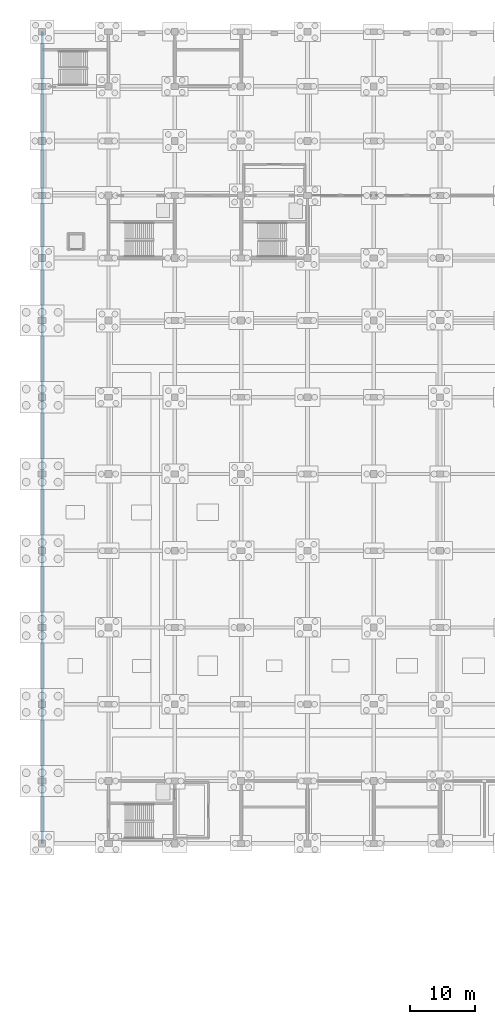
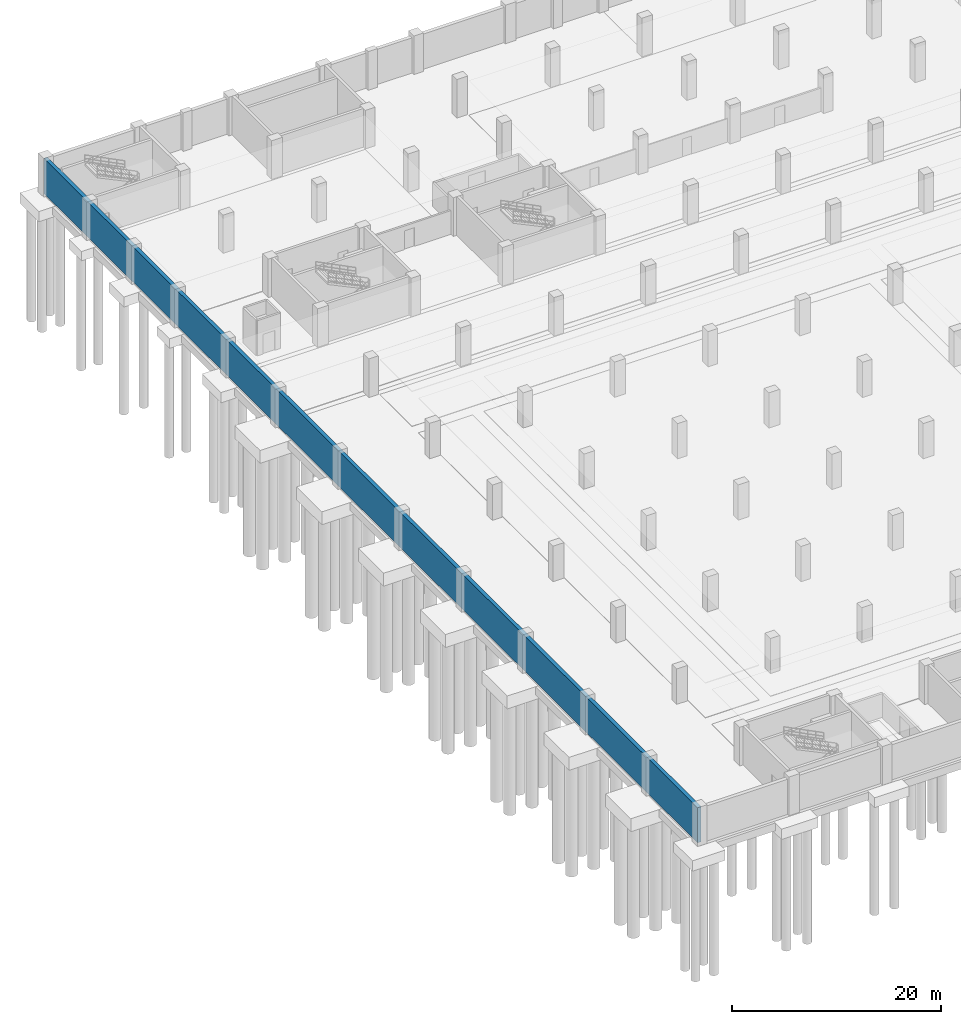
# One storey, part 31 of 52: 1 wall.
"""IFC4 building model written with IfcOpenShell, lengths in metres."""

from ifc_helpers import new_model, si_unit, direction, frame, frame_2d, origin, place, context, subcontext, project, spatial, rectangle, extrude, material, layer, layer_set, type_object, element, save


model = new_model("IFC4")

# Units and contexts
model_context = context("Model", 3, precision=1e-05, world=origin(), true_north=direction((0.0, 1.0)))
body_context = subcontext(model_context, "Body", "Model", "MODEL_VIEW")
ifc_project = project(units=[si_unit("LENGTHUNIT", "METRE"), si_unit("AREAUNIT", "SQUARE_METRE"), si_unit("VOLUMEUNIT", "CUBIC_METRE"), si_unit("PLANEANGLEUNIT", "RADIAN"), si_unit("MASSUNIT", "GRAM", prefix="KILO")], contexts=[model_context])

# Site, building, storey
site_placement = place(None, origin())
site = spatial("IfcSite", under=ifc_project, at=site_placement, CompositionType="ELEMENT")
building_placement = place(site_placement, origin())
building = spatial("IfcBuilding", under=site, at=building_placement, Name="Brelvane Convention Centre", CompositionType="ELEMENT")
storey_placement = place(building_placement, frame((0.0, 0.0, -4.5)))
storey = spatial("IfcBuildingStorey", under=building, at=storey_placement, Name="B1", CompositionType="ELEMENT", Elevation=-4.5)

# Wall
ifc_material = material(Name="Concrete M40", Category="concrete")
ifc_layer = layer(ifc_material, 0.39990234375)
ifc_layer_set = layer_set([ifc_layer], Name="Concrete M40")
wall_type = type_object("IfcWallType", Name="Structural Wall WL-RET-400", PredefinedType="SOLIDWALL", material=ifc_layer_set)
wall_placement = place(storey_placement, frame((0.0, 19.199951171875, 0.0), z_axis=(0.0, 0.0, 1.0), x_axis=(0.0, 1.0, 0.0)))
element("IfcWall", 1, at=wall_placement, inside=storey, type_object=wall_type, Name="Basement Retaining Wall W-FULL", PredefinedType="SOLIDWALL", context=body_context, shape_type="SweptSolid", body=[
    extrude(rectangle(XDim=124.800048828125, YDim=0.39990234375, at=frame_2d((62.39990234375, 0.0))), origin(), (0.0, 0.0, 1.0), 4.10009765625),
])

save(model, "model.ifc")
